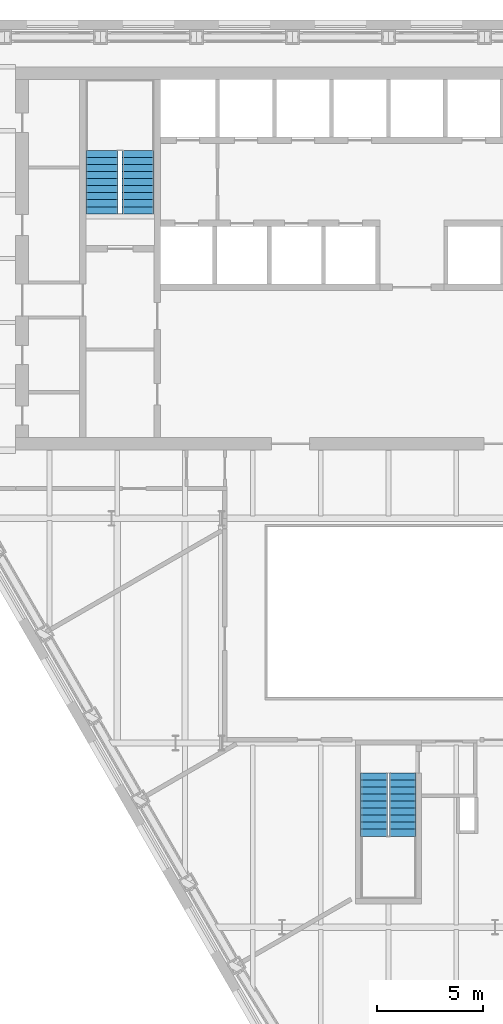
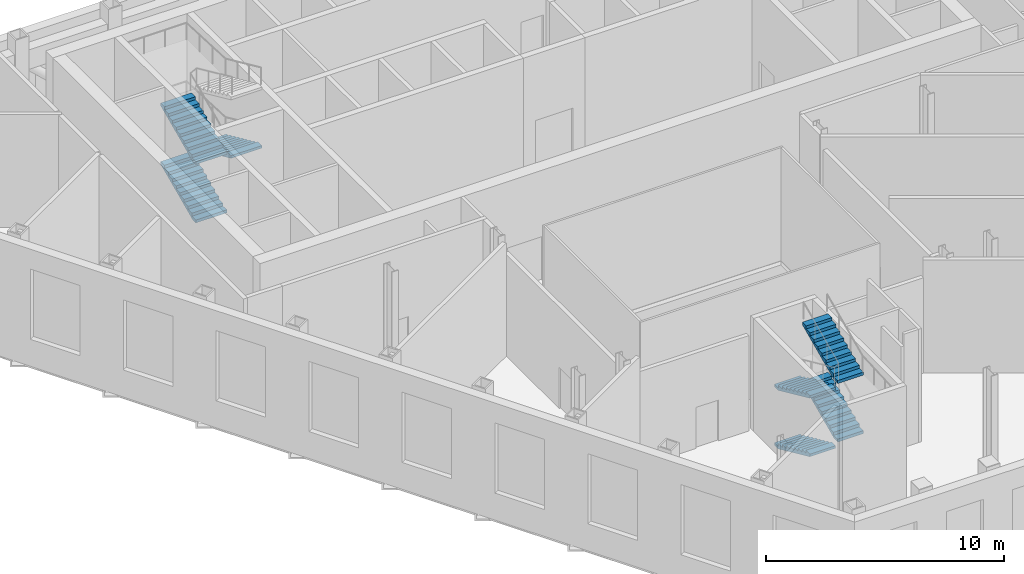
# One storey, part 12 of 14: 7 stair flights, 2 elements without a shape of their own.
"""IFC4 building model written with IfcOpenShell, lengths in metres."""

from ifc_helpers import new_model, si_unit, direction, frame, origin, place, context, subcontext, project, spatial, polygons, material, type_object, element, aggregate, save


model = new_model("IFC4")

# Units and contexts
model_context = context("Model", 3, precision=1e-05, world=origin(), true_north=direction((0.0, 1.0)))
body_context = subcontext(model_context, "Body", "Model", "MODEL_VIEW")
ifc_project = project(units=[si_unit("LENGTHUNIT", "METRE"), si_unit("AREAUNIT", "SQUARE_METRE"), si_unit("VOLUMEUNIT", "CUBIC_METRE"), si_unit("PLANEANGLEUNIT", "RADIAN"), si_unit("MASSUNIT", "GRAM", prefix="KILO")], contexts=[model_context])

# Site, building, storey
site_placement = place(None, origin())
site = spatial("IfcSite", under=ifc_project, at=site_placement, CompositionType="ELEMENT")
building_placement = place(site_placement, origin())
building = spatial("IfcBuilding", under=site, at=building_placement, Name="Njiva Tower", CompositionType="ELEMENT")
storey_placement = place(building_placement, frame((0.0, 0.0, 78.3)))
storey = spatial("IfcBuildingStorey", under=building, at=storey_placement, Name="L16", CompositionType="ELEMENT", Elevation=78.3)

# Stair, stair flights
ifc_material = material(Name="Concrete C40/50", Category="concrete")
stair_type_1 = type_object("IfcStairType", Name="ST1 Exit stair 1250", PredefinedType="HALF_TURN_STAIR", material=ifc_material)
stair_1_placement = place(storey_placement, origin())
stair_1 = element("IfcStair", 1, at=stair_1_placement, inside=storey, type_object=stair_type_1, Name="Stair C", PredefinedType="DOUBLE_RETURN_STAIR")
stair_flight_type_1 = type_object("IfcStairFlightType", Name="FL1 Stair flight 1250", PredefinedType="STRAIGHT", material=ifc_material)
stair_flight_1_placement = place(storey_placement, frame((-0.675, -15.16, 0.0), z_axis=(0.0, 0.0, 1.0), x_axis=(0.0, -1.0, 0.0)))
stair_flight_1 = element("IfcStairFlight", 2, at=stair_flight_1_placement, type_object=stair_flight_type_1, Name="ST-C flight 1", NumberOfRisers=10, NumberOfTreads=9, PredefinedType="STRAIGHT", RiserHeight=0.15, TreadLength=0.33, context=body_context, shape_type="Tessellation", body=[
    polygons([(0.0, 0.625, 0.0), (0.0, 0.3125, 0.0), (0.0, 0.0, 0.0), (0.0, -0.3125, 0.0), (0.0, -0.625, 0.0), (0.0, 0.625, 0.15), (0.0, 0.3125, 0.15), (0.0, 0.0, 0.15), (0.0, -0.3125, 0.15), (0.0, -0.625, 0.15), (0.33, 0.625, 0.15), (0.33, 0.3125, 0.15), (0.33, 0.0, 0.15), (0.33, -0.3125, 0.15), (0.33, -0.625, 0.15), (0.33, 0.625, 0.3), (0.33, 0.3125, 0.3), (0.33, 0.0, 0.3), (0.33, -0.3125, 0.3), (0.33, -0.625, 0.3), (0.66, 0.625, 0.3), (0.66, 0.3125, 0.3), (0.66, 0.0, 0.3), (0.66, -0.3125, 0.3), (0.66, -0.625, 0.3), (0.66, 0.625, 0.45), (0.66, 0.3125, 0.45), (0.66, 0.0, 0.45), (0.66, -0.3125, 0.45), (0.66, -0.625, 0.45), (0.99, 0.625, 0.45), (0.99, 0.3125, 0.45), (0.99, 0.0, 0.45), (0.99, -0.3125, 0.45), (0.99, -0.625, 0.45), (0.99, 0.625, 0.6), (0.99, 0.3125, 0.6), (0.99, 0.0, 0.6), (0.99, -0.3125, 0.6), (0.99, -0.625, 0.6), (1.32, 0.625, 0.6), (1.32, 0.3125, 0.6), (1.32, 0.0, 0.6), (1.32, -0.3125, 0.6), (1.32, -0.625, 0.6), (1.32, 0.625, 0.75), (1.32, 0.3125, 0.75), (1.32, 0.0, 0.75), (1.32, -0.3125, 0.75), (1.32, -0.625, 0.75), (1.65, 0.625, 0.75), (1.65, 0.3125, 0.75), (1.65, 0.0, 0.75), (1.65, -0.3125, 0.75), (1.65, -0.625, 0.75), (1.65, 0.625, 0.9), (1.65, 0.3125, 0.9), (1.65, 0.0, 0.9), (1.65, -0.3125, 0.9), (1.65, -0.625, 0.9), (1.98, 0.625, 0.9), (1.98, 0.3125, 0.9), (1.98, 0.0, 0.9), (1.98, -0.3125, 0.9), (1.98, -0.625, 0.9), (1.98, 0.625, 1.05), (1.98, 0.3125, 1.05), (1.98, 0.0, 1.05), (1.98, -0.3125, 1.05), (1.98, -0.625, 1.05), (2.31, 0.625, 1.05), (2.31, 0.3125, 1.05), (2.31, 0.0, 1.05), (2.31, -0.3125, 1.05), (2.31, -0.625, 1.05), (2.31, 0.625, 1.2), (2.31, 0.3125, 1.2), (2.31, 0.0, 1.2), (2.31, -0.3125, 1.2), (2.31, -0.625, 1.2), (2.64, 0.625, 1.2), (2.64, 0.3125, 1.2), (2.64, 0.0, 1.2), (2.64, -0.3125, 1.2), (2.64, -0.625, 1.2), (2.64, 0.625, 1.35), (2.64, 0.3125, 1.35), (2.64, 0.0, 1.35), (2.64, -0.3125, 1.35), (2.64, -0.625, 1.35), (2.97, 0.625, 1.35), (2.97, 0.3125, 1.35), (2.97, 0.0, 1.35), (2.97, -0.3125, 1.35), (2.97, -0.625, 1.35), (2.97, 0.625, 1.2182), (2.97, 0.3125, 1.2182), (2.97, 0.0, 1.2182), (2.97, -0.3125, 1.2182), (2.97, -0.625, 1.2182), (0.29, 0.625, 0.0), (0.29, 0.3125, 0.0), (0.29, 0.0, 0.0), (0.29, -0.3125, 0.0), (0.29, -0.625, 0.0)], [[[1, 6, 11, 16, 21, 26, 31, 36, 41, 46, 51, 56, 61, 66, 71, 76, 81, 86, 91, 96, 101]], [[105, 100, 95, 90, 85, 80, 75, 70, 65, 60, 55, 50, 45, 40, 35, 30, 25, 20, 15, 10, 5]], [[6, 1, 2, 7]], [[7, 2, 3, 8]], [[8, 3, 4, 9]], [[9, 4, 5, 10]], [[11, 6, 7, 12]], [[12, 7, 8, 13]], [[13, 8, 9, 14]], [[14, 9, 10, 15]], [[16, 11, 12, 17]], [[17, 12, 13, 18]], [[18, 13, 14, 19]], [[19, 14, 15, 20]], [[21, 16, 17, 22]], [[22, 17, 18, 23]], [[23, 18, 19, 24]], [[24, 19, 20, 25]], [[26, 21, 22, 27]], [[27, 22, 23, 28]], [[28, 23, 24, 29]], [[29, 24, 25, 30]], [[31, 26, 27, 32]], [[32, 27, 28, 33]], [[33, 28, 29, 34]], [[34, 29, 30, 35]], [[36, 31, 32, 37]], [[37, 32, 33, 38]], [[38, 33, 34, 39]], [[39, 34, 35, 40]], [[41, 36, 37, 42]], [[42, 37, 38, 43]], [[43, 38, 39, 44]], [[44, 39, 40, 45]], [[46, 41, 42, 47]], [[47, 42, 43, 48]], [[48, 43, 44, 49]], [[49, 44, 45, 50]], [[51, 46, 47, 52]], [[52, 47, 48, 53]], [[53, 48, 49, 54]], [[54, 49, 50, 55]], [[56, 51, 52, 57]], [[57, 52, 53, 58]], [[58, 53, 54, 59]], [[59, 54, 55, 60]], [[61, 56, 57, 62]], [[62, 57, 58, 63]], [[63, 58, 59, 64]], [[64, 59, 60, 65]], [[66, 61, 62, 67]], [[67, 62, 63, 68]], [[68, 63, 64, 69]], [[69, 64, 65, 70]], [[71, 66, 67, 72]], [[72, 67, 68, 73]], [[73, 68, 69, 74]], [[74, 69, 70, 75]], [[76, 71, 72, 77]], [[77, 72, 73, 78]], [[78, 73, 74, 79]], [[79, 74, 75, 80]], [[81, 76, 77, 82]], [[82, 77, 78, 83]], [[83, 78, 79, 84]], [[84, 79, 80, 85]], [[86, 81, 82, 87]], [[87, 82, 83, 88]], [[88, 83, 84, 89]], [[89, 84, 85, 90]], [[91, 86, 87, 92]], [[92, 87, 88, 93]], [[93, 88, 89, 94]], [[94, 89, 90, 95]], [[96, 91, 92, 97]], [[97, 92, 93, 98]], [[98, 93, 94, 99]], [[99, 94, 95, 100]], [[101, 96, 97, 102]], [[102, 97, 98, 103]], [[103, 98, 99, 104]], [[104, 99, 100, 105]], [[1, 101, 102, 2]], [[2, 102, 103, 3]], [[3, 103, 104, 4]], [[4, 104, 105, 5]]], closed=True),
])
stair_flight_2_placement = place(storey_placement, frame((0.675, -18.13, 1.5), z_axis=(0.0, 0.0, 1.0), x_axis=(0.0, 1.0, 0.0)))
stair_flight_2 = element("IfcStairFlight", 3, at=stair_flight_2_placement, type_object=stair_flight_type_1, Name="ST-C flight 2", NumberOfRisers=10, NumberOfTreads=9, PredefinedType="STRAIGHT", RiserHeight=0.15, TreadLength=0.33, context=body_context, shape_type="Tessellation", body=[
    polygons([(0.0, 0.625, 0.0), (0.0, 0.3125, 0.0), (0.0, 0.0, 0.0), (0.0, -0.3125, 0.0), (0.0, -0.625, 0.0), (0.0, 0.625, 0.15), (0.0, 0.3125, 0.15), (0.0, 0.0, 0.15), (0.0, -0.3125, 0.15), (0.0, -0.625, 0.15), (0.33, 0.625, 0.15), (0.33, 0.3125, 0.15), (0.33, 0.0, 0.15), (0.33, -0.3125, 0.15), (0.33, -0.625, 0.15), (0.33, 0.625, 0.3), (0.33, 0.3125, 0.3), (0.33, 0.0, 0.3), (0.33, -0.3125, 0.3), (0.33, -0.625, 0.3), (0.66, 0.625, 0.3), (0.66, 0.3125, 0.3), (0.66, 0.0, 0.3), (0.66, -0.3125, 0.3), (0.66, -0.625, 0.3), (0.66, 0.625, 0.45), (0.66, 0.3125, 0.45), (0.66, 0.0, 0.45), (0.66, -0.3125, 0.45), (0.66, -0.625, 0.45), (0.99, 0.625, 0.45), (0.99, 0.3125, 0.45), (0.99, 0.0, 0.45), (0.99, -0.3125, 0.45), (0.99, -0.625, 0.45), (0.99, 0.625, 0.6), (0.99, 0.3125, 0.6), (0.99, 0.0, 0.6), (0.99, -0.3125, 0.6), (0.99, -0.625, 0.6), (1.32, 0.625, 0.6), (1.32, 0.3125, 0.6), (1.32, 0.0, 0.6), (1.32, -0.3125, 0.6), (1.32, -0.625, 0.6), (1.32, 0.625, 0.75), (1.32, 0.3125, 0.75), (1.32, 0.0, 0.75), (1.32, -0.3125, 0.75), (1.32, -0.625, 0.75), (1.65, 0.625, 0.75), (1.65, 0.3125, 0.75), (1.65, 0.0, 0.75), (1.65, -0.3125, 0.75), (1.65, -0.625, 0.75), (1.65, 0.625, 0.9), (1.65, 0.3125, 0.9), (1.65, 0.0, 0.9), (1.65, -0.3125, 0.9), (1.65, -0.625, 0.9), (1.98, 0.625, 0.9), (1.98, 0.3125, 0.9), (1.98, 0.0, 0.9), (1.98, -0.3125, 0.9), (1.98, -0.625, 0.9), (1.98, 0.625, 1.05), (1.98, 0.3125, 1.05), (1.98, 0.0, 1.05), (1.98, -0.3125, 1.05), (1.98, -0.625, 1.05), (2.31, 0.625, 1.05), (2.31, 0.3125, 1.05), (2.31, 0.0, 1.05), (2.31, -0.3125, 1.05), (2.31, -0.625, 1.05), (2.31, 0.625, 1.2), (2.31, 0.3125, 1.2), (2.31, 0.0, 1.2), (2.31, -0.3125, 1.2), (2.31, -0.625, 1.2), (2.64, 0.625, 1.2), (2.64, 0.3125, 1.2), (2.64, 0.0, 1.2), (2.64, -0.3125, 1.2), (2.64, -0.625, 1.2), (2.64, 0.625, 1.35), (2.64, 0.3125, 1.35), (2.64, 0.0, 1.35), (2.64, -0.3125, 1.35), (2.64, -0.625, 1.35), (2.97, 0.625, 1.35), (2.97, 0.3125, 1.35), (2.97, 0.0, 1.35), (2.97, -0.3125, 1.35), (2.97, -0.625, 1.35), (2.97, 0.625, 1.2182), (2.97, 0.3125, 1.2182), (2.97, 0.0, 1.2182), (2.97, -0.3125, 1.2182), (2.97, -0.625, 1.2182), (0.29, 0.625, 0.0), (0.29, 0.3125, 0.0), (0.29, 0.0, 0.0), (0.29, -0.3125, 0.0), (0.29, -0.625, 0.0)], [[[1, 6, 11, 16, 21, 26, 31, 36, 41, 46, 51, 56, 61, 66, 71, 76, 81, 86, 91, 96, 101]], [[105, 100, 95, 90, 85, 80, 75, 70, 65, 60, 55, 50, 45, 40, 35, 30, 25, 20, 15, 10, 5]], [[6, 1, 2, 7]], [[7, 2, 3, 8]], [[8, 3, 4, 9]], [[9, 4, 5, 10]], [[11, 6, 7, 12]], [[12, 7, 8, 13]], [[13, 8, 9, 14]], [[14, 9, 10, 15]], [[16, 11, 12, 17]], [[17, 12, 13, 18]], [[18, 13, 14, 19]], [[19, 14, 15, 20]], [[21, 16, 17, 22]], [[22, 17, 18, 23]], [[23, 18, 19, 24]], [[24, 19, 20, 25]], [[26, 21, 22, 27]], [[27, 22, 23, 28]], [[28, 23, 24, 29]], [[29, 24, 25, 30]], [[31, 26, 27, 32]], [[32, 27, 28, 33]], [[33, 28, 29, 34]], [[34, 29, 30, 35]], [[36, 31, 32, 37]], [[37, 32, 33, 38]], [[38, 33, 34, 39]], [[39, 34, 35, 40]], [[41, 36, 37, 42]], [[42, 37, 38, 43]], [[43, 38, 39, 44]], [[44, 39, 40, 45]], [[46, 41, 42, 47]], [[47, 42, 43, 48]], [[48, 43, 44, 49]], [[49, 44, 45, 50]], [[51, 46, 47, 52]], [[52, 47, 48, 53]], [[53, 48, 49, 54]], [[54, 49, 50, 55]], [[56, 51, 52, 57]], [[57, 52, 53, 58]], [[58, 53, 54, 59]], [[59, 54, 55, 60]], [[61, 56, 57, 62]], [[62, 57, 58, 63]], [[63, 58, 59, 64]], [[64, 59, 60, 65]], [[66, 61, 62, 67]], [[67, 62, 63, 68]], [[68, 63, 64, 69]], [[69, 64, 65, 70]], [[71, 66, 67, 72]], [[72, 67, 68, 73]], [[73, 68, 69, 74]], [[74, 69, 70, 75]], [[76, 71, 72, 77]], [[77, 72, 73, 78]], [[78, 73, 74, 79]], [[79, 74, 75, 80]], [[81, 76, 77, 82]], [[82, 77, 78, 83]], [[83, 78, 79, 84]], [[84, 79, 80, 85]], [[86, 81, 82, 87]], [[87, 82, 83, 88]], [[88, 83, 84, 89]], [[89, 84, 85, 90]], [[91, 86, 87, 92]], [[92, 87, 88, 93]], [[93, 88, 89, 94]], [[94, 89, 90, 95]], [[96, 91, 92, 97]], [[97, 92, 93, 98]], [[98, 93, 94, 99]], [[99, 94, 95, 100]], [[101, 96, 97, 102]], [[102, 97, 98, 103]], [[103, 98, 99, 104]], [[104, 99, 100, 105]], [[1, 101, 102, 2]], [[2, 102, 103, 3]], [[3, 103, 104, 4]], [[4, 104, 105, 5]]], closed=True),
])
stair_flight_3_placement = place(storey_placement, frame((-0.675, -15.16, 3.0), z_axis=(0.0, 0.0, 1.0), x_axis=(0.0, -1.0, 0.0)))
stair_flight_3 = element("IfcStairFlight", 4, at=stair_flight_3_placement, type_object=stair_flight_type_1, Name="ST-C flight 3", NumberOfRisers=10, NumberOfTreads=9, PredefinedType="STRAIGHT", RiserHeight=0.15, TreadLength=0.33, context=body_context, shape_type="Tessellation", body=[
    polygons([(0.0, 0.625, 0.0), (0.0, 0.3125, 0.0), (0.0, 0.0, 0.0), (0.0, -0.3125, 0.0), (0.0, -0.625, 0.0), (0.0, 0.625, 0.15), (0.0, 0.3125, 0.15), (0.0, 0.0, 0.15), (0.0, -0.3125, 0.15), (0.0, -0.625, 0.15), (0.33, 0.625, 0.15), (0.33, 0.3125, 0.15), (0.33, 0.0, 0.15), (0.33, -0.3125, 0.15), (0.33, -0.625, 0.15), (0.33, 0.625, 0.3), (0.33, 0.3125, 0.3), (0.33, 0.0, 0.3), (0.33, -0.3125, 0.3), (0.33, -0.625, 0.3), (0.66, 0.625, 0.3), (0.66, 0.3125, 0.3), (0.66, 0.0, 0.3), (0.66, -0.3125, 0.3), (0.66, -0.625, 0.3), (0.66, 0.625, 0.45), (0.66, 0.3125, 0.45), (0.66, 0.0, 0.45), (0.66, -0.3125, 0.45), (0.66, -0.625, 0.45), (0.99, 0.625, 0.45), (0.99, 0.3125, 0.45), (0.99, 0.0, 0.45), (0.99, -0.3125, 0.45), (0.99, -0.625, 0.45), (0.99, 0.625, 0.6), (0.99, 0.3125, 0.6), (0.99, 0.0, 0.6), (0.99, -0.3125, 0.6), (0.99, -0.625, 0.6), (1.32, 0.625, 0.6), (1.32, 0.3125, 0.6), (1.32, 0.0, 0.6), (1.32, -0.3125, 0.6), (1.32, -0.625, 0.6), (1.32, 0.625, 0.75), (1.32, 0.3125, 0.75), (1.32, 0.0, 0.75), (1.32, -0.3125, 0.75), (1.32, -0.625, 0.75), (1.65, 0.625, 0.75), (1.65, 0.3125, 0.75), (1.65, 0.0, 0.75), (1.65, -0.3125, 0.75), (1.65, -0.625, 0.75), (1.65, 0.625, 0.9), (1.65, 0.3125, 0.9), (1.65, 0.0, 0.9), (1.65, -0.3125, 0.9), (1.65, -0.625, 0.9), (1.98, 0.625, 0.9), (1.98, 0.3125, 0.9), (1.98, 0.0, 0.9), (1.98, -0.3125, 0.9), (1.98, -0.625, 0.9), (1.98, 0.625, 1.05), (1.98, 0.3125, 1.05), (1.98, 0.0, 1.05), (1.98, -0.3125, 1.05), (1.98, -0.625, 1.05), (2.31, 0.625, 1.05), (2.31, 0.3125, 1.05), (2.31, 0.0, 1.05), (2.31, -0.3125, 1.05), (2.31, -0.625, 1.05), (2.31, 0.625, 1.2), (2.31, 0.3125, 1.2), (2.31, 0.0, 1.2), (2.31, -0.3125, 1.2), (2.31, -0.625, 1.2), (2.64, 0.625, 1.2), (2.64, 0.3125, 1.2), (2.64, 0.0, 1.2), (2.64, -0.3125, 1.2), (2.64, -0.625, 1.2), (2.64, 0.625, 1.35), (2.64, 0.3125, 1.35), (2.64, 0.0, 1.35), (2.64, -0.3125, 1.35), (2.64, -0.625, 1.35), (2.97, 0.625, 1.35), (2.97, 0.3125, 1.35), (2.97, 0.0, 1.35), (2.97, -0.3125, 1.35), (2.97, -0.625, 1.35), (2.97, 0.625, 1.2182), (2.97, 0.3125, 1.2182), (2.97, 0.0, 1.2182), (2.97, -0.3125, 1.2182), (2.97, -0.625, 1.2182), (0.29, 0.625, 0.0), (0.29, 0.3125, 0.0), (0.29, 0.0, 0.0), (0.29, -0.3125, 0.0), (0.29, -0.625, 0.0)], [[[1, 6, 11, 16, 21, 26, 31, 36, 41, 46, 51, 56, 61, 66, 71, 76, 81, 86, 91, 96, 101]], [[105, 100, 95, 90, 85, 80, 75, 70, 65, 60, 55, 50, 45, 40, 35, 30, 25, 20, 15, 10, 5]], [[6, 1, 2, 7]], [[7, 2, 3, 8]], [[8, 3, 4, 9]], [[9, 4, 5, 10]], [[11, 6, 7, 12]], [[12, 7, 8, 13]], [[13, 8, 9, 14]], [[14, 9, 10, 15]], [[16, 11, 12, 17]], [[17, 12, 13, 18]], [[18, 13, 14, 19]], [[19, 14, 15, 20]], [[21, 16, 17, 22]], [[22, 17, 18, 23]], [[23, 18, 19, 24]], [[24, 19, 20, 25]], [[26, 21, 22, 27]], [[27, 22, 23, 28]], [[28, 23, 24, 29]], [[29, 24, 25, 30]], [[31, 26, 27, 32]], [[32, 27, 28, 33]], [[33, 28, 29, 34]], [[34, 29, 30, 35]], [[36, 31, 32, 37]], [[37, 32, 33, 38]], [[38, 33, 34, 39]], [[39, 34, 35, 40]], [[41, 36, 37, 42]], [[42, 37, 38, 43]], [[43, 38, 39, 44]], [[44, 39, 40, 45]], [[46, 41, 42, 47]], [[47, 42, 43, 48]], [[48, 43, 44, 49]], [[49, 44, 45, 50]], [[51, 46, 47, 52]], [[52, 47, 48, 53]], [[53, 48, 49, 54]], [[54, 49, 50, 55]], [[56, 51, 52, 57]], [[57, 52, 53, 58]], [[58, 53, 54, 59]], [[59, 54, 55, 60]], [[61, 56, 57, 62]], [[62, 57, 58, 63]], [[63, 58, 59, 64]], [[64, 59, 60, 65]], [[66, 61, 62, 67]], [[67, 62, 63, 68]], [[68, 63, 64, 69]], [[69, 64, 65, 70]], [[71, 66, 67, 72]], [[72, 67, 68, 73]], [[73, 68, 69, 74]], [[74, 69, 70, 75]], [[76, 71, 72, 77]], [[77, 72, 73, 78]], [[78, 73, 74, 79]], [[79, 74, 75, 80]], [[81, 76, 77, 82]], [[82, 77, 78, 83]], [[83, 78, 79, 84]], [[84, 79, 80, 85]], [[86, 81, 82, 87]], [[87, 82, 83, 88]], [[88, 83, 84, 89]], [[89, 84, 85, 90]], [[91, 86, 87, 92]], [[92, 87, 88, 93]], [[93, 88, 89, 94]], [[94, 89, 90, 95]], [[96, 91, 92, 97]], [[97, 92, 93, 98]], [[98, 93, 94, 99]], [[99, 94, 95, 100]], [[101, 96, 97, 102]], [[102, 97, 98, 103]], [[103, 98, 99, 104]], [[104, 99, 100, 105]], [[1, 101, 102, 2]], [[2, 102, 103, 3]], [[3, 103, 104, 4]], [[4, 104, 105, 5]]], closed=True),
])
stair_flight_4_placement = place(storey_placement, frame((0.675, -18.13, 4.5), z_axis=(0.0, 0.0, 1.0), x_axis=(0.0, 1.0, 0.0)))
stair_flight_4 = element("IfcStairFlight", 5, at=stair_flight_4_placement, type_object=stair_flight_type_1, Name="ST-C flight 4", NumberOfRisers=10, NumberOfTreads=9, PredefinedType="STRAIGHT", RiserHeight=0.15, TreadLength=0.33, context=body_context, shape_type="Tessellation", body=[
    polygons([(0.0, 0.625, 0.0), (0.0, 0.3125, 0.0), (0.0, 0.0, 0.0), (0.0, -0.3125, 0.0), (0.0, -0.625, 0.0), (0.0, 0.625, 0.15), (0.0, 0.3125, 0.15), (0.0, 0.0, 0.15), (0.0, -0.3125, 0.15), (0.0, -0.625, 0.15), (0.33, 0.625, 0.15), (0.33, 0.3125, 0.15), (0.33, 0.0, 0.15), (0.33, -0.3125, 0.15), (0.33, -0.625, 0.15), (0.33, 0.625, 0.3), (0.33, 0.3125, 0.3), (0.33, 0.0, 0.3), (0.33, -0.3125, 0.3), (0.33, -0.625, 0.3), (0.66, 0.625, 0.3), (0.66, 0.3125, 0.3), (0.66, 0.0, 0.3), (0.66, -0.3125, 0.3), (0.66, -0.625, 0.3), (0.66, 0.625, 0.45), (0.66, 0.3125, 0.45), (0.66, 0.0, 0.45), (0.66, -0.3125, 0.45), (0.66, -0.625, 0.45), (0.99, 0.625, 0.45), (0.99, 0.3125, 0.45), (0.99, 0.0, 0.45), (0.99, -0.3125, 0.45), (0.99, -0.625, 0.45), (0.99, 0.625, 0.6), (0.99, 0.3125, 0.6), (0.99, 0.0, 0.6), (0.99, -0.3125, 0.6), (0.99, -0.625, 0.6), (1.32, 0.625, 0.6), (1.32, 0.3125, 0.6), (1.32, 0.0, 0.6), (1.32, -0.3125, 0.6), (1.32, -0.625, 0.6), (1.32, 0.625, 0.75), (1.32, 0.3125, 0.75), (1.32, 0.0, 0.75), (1.32, -0.3125, 0.75), (1.32, -0.625, 0.75), (1.65, 0.625, 0.75), (1.65, 0.3125, 0.75), (1.65, 0.0, 0.75), (1.65, -0.3125, 0.75), (1.65, -0.625, 0.75), (1.65, 0.625, 0.9), (1.65, 0.3125, 0.9), (1.65, 0.0, 0.9), (1.65, -0.3125, 0.9), (1.65, -0.625, 0.9), (1.98, 0.625, 0.9), (1.98, 0.3125, 0.9), (1.98, 0.0, 0.9), (1.98, -0.3125, 0.9), (1.98, -0.625, 0.9), (1.98, 0.625, 1.05), (1.98, 0.3125, 1.05), (1.98, 0.0, 1.05), (1.98, -0.3125, 1.05), (1.98, -0.625, 1.05), (2.31, 0.625, 1.05), (2.31, 0.3125, 1.05), (2.31, 0.0, 1.05), (2.31, -0.3125, 1.05), (2.31, -0.625, 1.05), (2.31, 0.625, 1.2), (2.31, 0.3125, 1.2), (2.31, 0.0, 1.2), (2.31, -0.3125, 1.2), (2.31, -0.625, 1.2), (2.64, 0.625, 1.2), (2.64, 0.3125, 1.2), (2.64, 0.0, 1.2), (2.64, -0.3125, 1.2), (2.64, -0.625, 1.2), (2.64, 0.625, 1.35), (2.64, 0.3125, 1.35), (2.64, 0.0, 1.35), (2.64, -0.3125, 1.35), (2.64, -0.625, 1.35), (2.97, 0.625, 1.35), (2.97, 0.3125, 1.35), (2.97, 0.0, 1.35), (2.97, -0.3125, 1.35), (2.97, -0.625, 1.35), (2.97, 0.625, 1.2182), (2.97, 0.3125, 1.2182), (2.97, 0.0, 1.2182), (2.97, -0.3125, 1.2182), (2.97, -0.625, 1.2182), (0.29, 0.625, 0.0), (0.29, 0.3125, 0.0), (0.29, 0.0, 0.0), (0.29, -0.3125, 0.0), (0.29, -0.625, 0.0)], [[[1, 6, 11, 16, 21, 26, 31, 36, 41, 46, 51, 56, 61, 66, 71, 76, 81, 86, 91, 96, 101]], [[105, 100, 95, 90, 85, 80, 75, 70, 65, 60, 55, 50, 45, 40, 35, 30, 25, 20, 15, 10, 5]], [[6, 1, 2, 7]], [[7, 2, 3, 8]], [[8, 3, 4, 9]], [[9, 4, 5, 10]], [[11, 6, 7, 12]], [[12, 7, 8, 13]], [[13, 8, 9, 14]], [[14, 9, 10, 15]], [[16, 11, 12, 17]], [[17, 12, 13, 18]], [[18, 13, 14, 19]], [[19, 14, 15, 20]], [[21, 16, 17, 22]], [[22, 17, 18, 23]], [[23, 18, 19, 24]], [[24, 19, 20, 25]], [[26, 21, 22, 27]], [[27, 22, 23, 28]], [[28, 23, 24, 29]], [[29, 24, 25, 30]], [[31, 26, 27, 32]], [[32, 27, 28, 33]], [[33, 28, 29, 34]], [[34, 29, 30, 35]], [[36, 31, 32, 37]], [[37, 32, 33, 38]], [[38, 33, 34, 39]], [[39, 34, 35, 40]], [[41, 36, 37, 42]], [[42, 37, 38, 43]], [[43, 38, 39, 44]], [[44, 39, 40, 45]], [[46, 41, 42, 47]], [[47, 42, 43, 48]], [[48, 43, 44, 49]], [[49, 44, 45, 50]], [[51, 46, 47, 52]], [[52, 47, 48, 53]], [[53, 48, 49, 54]], [[54, 49, 50, 55]], [[56, 51, 52, 57]], [[57, 52, 53, 58]], [[58, 53, 54, 59]], [[59, 54, 55, 60]], [[61, 56, 57, 62]], [[62, 57, 58, 63]], [[63, 58, 59, 64]], [[64, 59, 60, 65]], [[66, 61, 62, 67]], [[67, 62, 63, 68]], [[68, 63, 64, 69]], [[69, 64, 65, 70]], [[71, 66, 67, 72]], [[72, 67, 68, 73]], [[73, 68, 69, 74]], [[74, 69, 70, 75]], [[76, 71, 72, 77]], [[77, 72, 73, 78]], [[78, 73, 74, 79]], [[79, 74, 75, 80]], [[81, 76, 77, 82]], [[82, 77, 78, 83]], [[83, 78, 79, 84]], [[84, 79, 80, 85]], [[86, 81, 82, 87]], [[87, 82, 83, 88]], [[88, 83, 84, 89]], [[89, 84, 85, 90]], [[91, 86, 87, 92]], [[92, 87, 88, 93]], [[93, 88, 89, 94]], [[94, 89, 90, 95]], [[96, 91, 92, 97]], [[97, 92, 93, 98]], [[98, 93, 94, 99]], [[99, 94, 95, 100]], [[101, 96, 97, 102]], [[102, 97, 98, 103]], [[103, 98, 99, 104]], [[104, 99, 100, 105]], [[1, 101, 102, 2]], [[2, 102, 103, 3]], [[3, 103, 104, 4]], [[4, 104, 105, 5]]], closed=True),
])
aggregate(stair_1, [stair_flight_1, stair_flight_2, stair_flight_3, stair_flight_4])

stair_type_2 = type_object("IfcStairType", Name="ST4 Exit stair 1500", PredefinedType="HALF_TURN_STAIR", material=ifc_material)
stair_2_placement = place(storey_placement, origin())
stair_2 = element("IfcStair", 6, at=stair_2_placement, inside=storey, type_object=stair_type_2, Name="Stair A", PredefinedType="DOUBLE_RETURN_STAIR")
stair_flight_type_2 = type_object("IfcStairFlightType", Name="FL4 Stair flight 1500", PredefinedType="STRAIGHT", material=ifc_material)
stair_flight_5_placement = place(storey_placement, frame((-13.45, 11.1, 0.0), z_axis=(0.0, 0.0, 1.0), x_axis=(0.0, 1.0, 0.0)))
stair_flight_5 = element("IfcStairFlight", 7, at=stair_flight_5_placement, type_object=stair_flight_type_2, Name="ST-A flight 1", NumberOfRisers=10, NumberOfTreads=9, PredefinedType="STRAIGHT", RiserHeight=0.15, TreadLength=0.33, context=body_context, shape_type="Tessellation", body=[
    polygons([(0.0, 0.75, 0.0), (0.0, 0.375, 0.0), (0.0, 0.0, 0.0), (0.0, -0.375, 0.0), (0.0, -0.75, 0.0), (0.0, 0.75, 0.15), (0.0, 0.375, 0.15), (0.0, 0.0, 0.15), (0.0, -0.375, 0.15), (0.0, -0.75, 0.15), (0.33, 0.75, 0.15), (0.33, 0.375, 0.15), (0.33, 0.0, 0.15), (0.33, -0.375, 0.15), (0.33, -0.75, 0.15), (0.33, 0.75, 0.3), (0.33, 0.375, 0.3), (0.33, 0.0, 0.3), (0.33, -0.375, 0.3), (0.33, -0.75, 0.3), (0.66, 0.75, 0.3), (0.66, 0.375, 0.3), (0.66, 0.0, 0.3), (0.66, -0.375, 0.3), (0.66, -0.75, 0.3), (0.66, 0.75, 0.45), (0.66, 0.375, 0.45), (0.66, 0.0, 0.45), (0.66, -0.375, 0.45), (0.66, -0.75, 0.45), (0.99, 0.75, 0.45), (0.99, 0.375, 0.45), (0.99, 0.0, 0.45), (0.99, -0.375, 0.45), (0.99, -0.75, 0.45), (0.99, 0.75, 0.6), (0.99, 0.375, 0.6), (0.99, 0.0, 0.6), (0.99, -0.375, 0.6), (0.99, -0.75, 0.6), (1.32, 0.75, 0.6), (1.32, 0.375, 0.6), (1.32, 0.0, 0.6), (1.32, -0.375, 0.6), (1.32, -0.75, 0.6), (1.32, 0.75, 0.75), (1.32, 0.375, 0.75), (1.32, 0.0, 0.75), (1.32, -0.375, 0.75), (1.32, -0.75, 0.75), (1.65, 0.75, 0.75), (1.65, 0.375, 0.75), (1.65, 0.0, 0.75), (1.65, -0.375, 0.75), (1.65, -0.75, 0.75), (1.65, 0.75, 0.9), (1.65, 0.375, 0.9), (1.65, 0.0, 0.9), (1.65, -0.375, 0.9), (1.65, -0.75, 0.9), (1.98, 0.75, 0.9), (1.98, 0.375, 0.9), (1.98, 0.0, 0.9), (1.98, -0.375, 0.9), (1.98, -0.75, 0.9), (1.98, 0.75, 1.05), (1.98, 0.375, 1.05), (1.98, 0.0, 1.05), (1.98, -0.375, 1.05), (1.98, -0.75, 1.05), (2.31, 0.75, 1.05), (2.31, 0.375, 1.05), (2.31, 0.0, 1.05), (2.31, -0.375, 1.05), (2.31, -0.75, 1.05), (2.31, 0.75, 1.2), (2.31, 0.375, 1.2), (2.31, 0.0, 1.2), (2.31, -0.375, 1.2), (2.31, -0.75, 1.2), (2.64, 0.75, 1.2), (2.64, 0.375, 1.2), (2.64, 0.0, 1.2), (2.64, -0.375, 1.2), (2.64, -0.75, 1.2), (2.64, 0.75, 1.35), (2.64, 0.375, 1.35), (2.64, 0.0, 1.35), (2.64, -0.375, 1.35), (2.64, -0.75, 1.35), (2.97, 0.75, 1.35), (2.97, 0.375, 1.35), (2.97, 0.0, 1.35), (2.97, -0.375, 1.35), (2.97, -0.75, 1.35), (2.97, 0.75, 1.2182), (2.97, 0.375, 1.2182), (2.97, 0.0, 1.2182), (2.97, -0.375, 1.2182), (2.97, -0.75, 1.2182), (0.29, 0.75, 0.0), (0.29, 0.375, 0.0), (0.29, 0.0, 0.0), (0.29, -0.375, 0.0), (0.29, -0.75, 0.0)], [[[1, 6, 11, 16, 21, 26, 31, 36, 41, 46, 51, 56, 61, 66, 71, 76, 81, 86, 91, 96, 101]], [[105, 100, 95, 90, 85, 80, 75, 70, 65, 60, 55, 50, 45, 40, 35, 30, 25, 20, 15, 10, 5]], [[6, 1, 2, 7]], [[7, 2, 3, 8]], [[8, 3, 4, 9]], [[9, 4, 5, 10]], [[11, 6, 7, 12]], [[12, 7, 8, 13]], [[13, 8, 9, 14]], [[14, 9, 10, 15]], [[16, 11, 12, 17]], [[17, 12, 13, 18]], [[18, 13, 14, 19]], [[19, 14, 15, 20]], [[21, 16, 17, 22]], [[22, 17, 18, 23]], [[23, 18, 19, 24]], [[24, 19, 20, 25]], [[26, 21, 22, 27]], [[27, 22, 23, 28]], [[28, 23, 24, 29]], [[29, 24, 25, 30]], [[31, 26, 27, 32]], [[32, 27, 28, 33]], [[33, 28, 29, 34]], [[34, 29, 30, 35]], [[36, 31, 32, 37]], [[37, 32, 33, 38]], [[38, 33, 34, 39]], [[39, 34, 35, 40]], [[41, 36, 37, 42]], [[42, 37, 38, 43]], [[43, 38, 39, 44]], [[44, 39, 40, 45]], [[46, 41, 42, 47]], [[47, 42, 43, 48]], [[48, 43, 44, 49]], [[49, 44, 45, 50]], [[51, 46, 47, 52]], [[52, 47, 48, 53]], [[53, 48, 49, 54]], [[54, 49, 50, 55]], [[56, 51, 52, 57]], [[57, 52, 53, 58]], [[58, 53, 54, 59]], [[59, 54, 55, 60]], [[61, 56, 57, 62]], [[62, 57, 58, 63]], [[63, 58, 59, 64]], [[64, 59, 60, 65]], [[66, 61, 62, 67]], [[67, 62, 63, 68]], [[68, 63, 64, 69]], [[69, 64, 65, 70]], [[71, 66, 67, 72]], [[72, 67, 68, 73]], [[73, 68, 69, 74]], [[74, 69, 70, 75]], [[76, 71, 72, 77]], [[77, 72, 73, 78]], [[78, 73, 74, 79]], [[79, 74, 75, 80]], [[81, 76, 77, 82]], [[82, 77, 78, 83]], [[83, 78, 79, 84]], [[84, 79, 80, 85]], [[86, 81, 82, 87]], [[87, 82, 83, 88]], [[88, 83, 84, 89]], [[89, 84, 85, 90]], [[91, 86, 87, 92]], [[92, 87, 88, 93]], [[93, 88, 89, 94]], [[94, 89, 90, 95]], [[96, 91, 92, 97]], [[97, 92, 93, 98]], [[98, 93, 94, 99]], [[99, 94, 95, 100]], [[101, 96, 97, 102]], [[102, 97, 98, 103]], [[103, 98, 99, 104]], [[104, 99, 100, 105]], [[1, 101, 102, 2]], [[2, 102, 103, 3]], [[3, 103, 104, 4]], [[4, 104, 105, 5]]], closed=True),
])
stair_flight_6_placement = place(storey_placement, frame((-11.75, 14.07, 1.5), z_axis=(0.0, 0.0, 1.0), x_axis=(0.0, -1.0, 0.0)))
stair_flight_6 = element("IfcStairFlight", 8, at=stair_flight_6_placement, type_object=stair_flight_type_2, Name="ST-A flight 2", NumberOfRisers=10, NumberOfTreads=9, PredefinedType="STRAIGHT", RiserHeight=0.15, TreadLength=0.33, context=body_context, shape_type="Tessellation", body=[
    polygons([(0.0, 0.75, 0.0), (0.0, 0.375, 0.0), (0.0, 0.0, 0.0), (0.0, -0.375, 0.0), (0.0, -0.75, 0.0), (0.0, 0.75, 0.15), (0.0, 0.375, 0.15), (0.0, 0.0, 0.15), (0.0, -0.375, 0.15), (0.0, -0.75, 0.15), (0.33, 0.75, 0.15), (0.33, 0.375, 0.15), (0.33, 0.0, 0.15), (0.33, -0.375, 0.15), (0.33, -0.75, 0.15), (0.33, 0.75, 0.3), (0.33, 0.375, 0.3), (0.33, 0.0, 0.3), (0.33, -0.375, 0.3), (0.33, -0.75, 0.3), (0.66, 0.75, 0.3), (0.66, 0.375, 0.3), (0.66, 0.0, 0.3), (0.66, -0.375, 0.3), (0.66, -0.75, 0.3), (0.66, 0.75, 0.45), (0.66, 0.375, 0.45), (0.66, 0.0, 0.45), (0.66, -0.375, 0.45), (0.66, -0.75, 0.45), (0.99, 0.75, 0.45), (0.99, 0.375, 0.45), (0.99, 0.0, 0.45), (0.99, -0.375, 0.45), (0.99, -0.75, 0.45), (0.99, 0.75, 0.6), (0.99, 0.375, 0.6), (0.99, 0.0, 0.6), (0.99, -0.375, 0.6), (0.99, -0.75, 0.6), (1.32, 0.75, 0.6), (1.32, 0.375, 0.6), (1.32, 0.0, 0.6), (1.32, -0.375, 0.6), (1.32, -0.75, 0.6), (1.32, 0.75, 0.75), (1.32, 0.375, 0.75), (1.32, 0.0, 0.75), (1.32, -0.375, 0.75), (1.32, -0.75, 0.75), (1.65, 0.75, 0.75), (1.65, 0.375, 0.75), (1.65, 0.0, 0.75), (1.65, -0.375, 0.75), (1.65, -0.75, 0.75), (1.65, 0.75, 0.9), (1.65, 0.375, 0.9), (1.65, 0.0, 0.9), (1.65, -0.375, 0.9), (1.65, -0.75, 0.9), (1.98, 0.75, 0.9), (1.98, 0.375, 0.9), (1.98, 0.0, 0.9), (1.98, -0.375, 0.9), (1.98, -0.75, 0.9), (1.98, 0.75, 1.05), (1.98, 0.375, 1.05), (1.98, 0.0, 1.05), (1.98, -0.375, 1.05), (1.98, -0.75, 1.05), (2.31, 0.75, 1.05), (2.31, 0.375, 1.05), (2.31, 0.0, 1.05), (2.31, -0.375, 1.05), (2.31, -0.75, 1.05), (2.31, 0.75, 1.2), (2.31, 0.375, 1.2), (2.31, 0.0, 1.2), (2.31, -0.375, 1.2), (2.31, -0.75, 1.2), (2.64, 0.75, 1.2), (2.64, 0.375, 1.2), (2.64, 0.0, 1.2), (2.64, -0.375, 1.2), (2.64, -0.75, 1.2), (2.64, 0.75, 1.35), (2.64, 0.375, 1.35), (2.64, 0.0, 1.35), (2.64, -0.375, 1.35), (2.64, -0.75, 1.35), (2.97, 0.75, 1.35), (2.97, 0.375, 1.35), (2.97, 0.0, 1.35), (2.97, -0.375, 1.35), (2.97, -0.75, 1.35), (2.97, 0.75, 1.2182), (2.97, 0.375, 1.2182), (2.97, 0.0, 1.2182), (2.97, -0.375, 1.2182), (2.97, -0.75, 1.2182), (0.29, 0.75, 0.0), (0.29, 0.375, 0.0), (0.29, 0.0, 0.0), (0.29, -0.375, 0.0), (0.29, -0.75, 0.0)], [[[1, 6, 11, 16, 21, 26, 31, 36, 41, 46, 51, 56, 61, 66, 71, 76, 81, 86, 91, 96, 101]], [[105, 100, 95, 90, 85, 80, 75, 70, 65, 60, 55, 50, 45, 40, 35, 30, 25, 20, 15, 10, 5]], [[6, 1, 2, 7]], [[7, 2, 3, 8]], [[8, 3, 4, 9]], [[9, 4, 5, 10]], [[11, 6, 7, 12]], [[12, 7, 8, 13]], [[13, 8, 9, 14]], [[14, 9, 10, 15]], [[16, 11, 12, 17]], [[17, 12, 13, 18]], [[18, 13, 14, 19]], [[19, 14, 15, 20]], [[21, 16, 17, 22]], [[22, 17, 18, 23]], [[23, 18, 19, 24]], [[24, 19, 20, 25]], [[26, 21, 22, 27]], [[27, 22, 23, 28]], [[28, 23, 24, 29]], [[29, 24, 25, 30]], [[31, 26, 27, 32]], [[32, 27, 28, 33]], [[33, 28, 29, 34]], [[34, 29, 30, 35]], [[36, 31, 32, 37]], [[37, 32, 33, 38]], [[38, 33, 34, 39]], [[39, 34, 35, 40]], [[41, 36, 37, 42]], [[42, 37, 38, 43]], [[43, 38, 39, 44]], [[44, 39, 40, 45]], [[46, 41, 42, 47]], [[47, 42, 43, 48]], [[48, 43, 44, 49]], [[49, 44, 45, 50]], [[51, 46, 47, 52]], [[52, 47, 48, 53]], [[53, 48, 49, 54]], [[54, 49, 50, 55]], [[56, 51, 52, 57]], [[57, 52, 53, 58]], [[58, 53, 54, 59]], [[59, 54, 55, 60]], [[61, 56, 57, 62]], [[62, 57, 58, 63]], [[63, 58, 59, 64]], [[64, 59, 60, 65]], [[66, 61, 62, 67]], [[67, 62, 63, 68]], [[68, 63, 64, 69]], [[69, 64, 65, 70]], [[71, 66, 67, 72]], [[72, 67, 68, 73]], [[73, 68, 69, 74]], [[74, 69, 70, 75]], [[76, 71, 72, 77]], [[77, 72, 73, 78]], [[78, 73, 74, 79]], [[79, 74, 75, 80]], [[81, 76, 77, 82]], [[82, 77, 78, 83]], [[83, 78, 79, 84]], [[84, 79, 80, 85]], [[86, 81, 82, 87]], [[87, 82, 83, 88]], [[88, 83, 84, 89]], [[89, 84, 85, 90]], [[91, 86, 87, 92]], [[92, 87, 88, 93]], [[93, 88, 89, 94]], [[94, 89, 90, 95]], [[96, 91, 92, 97]], [[97, 92, 93, 98]], [[98, 93, 94, 99]], [[99, 94, 95, 100]], [[101, 96, 97, 102]], [[102, 97, 98, 103]], [[103, 98, 99, 104]], [[104, 99, 100, 105]], [[1, 101, 102, 2]], [[2, 102, 103, 3]], [[3, 103, 104, 4]], [[4, 104, 105, 5]]], closed=True),
])
stair_flight_7_placement = place(storey_placement, frame((-13.45, 11.1, 3.0), z_axis=(0.0, 0.0, 1.0), x_axis=(0.0, 1.0, 0.0)))
stair_flight_7 = element("IfcStairFlight", 9, at=stair_flight_7_placement, type_object=stair_flight_type_2, Name="ST-A flight 3", NumberOfRisers=10, NumberOfTreads=9, PredefinedType="STRAIGHT", RiserHeight=0.15, TreadLength=0.33, context=body_context, shape_type="Tessellation", body=[
    polygons([(0.0, 0.75, 0.0), (0.0, 0.375, 0.0), (0.0, 0.0, 0.0), (0.0, -0.375, 0.0), (0.0, -0.75, 0.0), (0.0, 0.75, 0.15), (0.0, 0.375, 0.15), (0.0, 0.0, 0.15), (0.0, -0.375, 0.15), (0.0, -0.75, 0.15), (0.33, 0.75, 0.15), (0.33, 0.375, 0.15), (0.33, 0.0, 0.15), (0.33, -0.375, 0.15), (0.33, -0.75, 0.15), (0.33, 0.75, 0.3), (0.33, 0.375, 0.3), (0.33, 0.0, 0.3), (0.33, -0.375, 0.3), (0.33, -0.75, 0.3), (0.66, 0.75, 0.3), (0.66, 0.375, 0.3), (0.66, 0.0, 0.3), (0.66, -0.375, 0.3), (0.66, -0.75, 0.3), (0.66, 0.75, 0.45), (0.66, 0.375, 0.45), (0.66, 0.0, 0.45), (0.66, -0.375, 0.45), (0.66, -0.75, 0.45), (0.99, 0.75, 0.45), (0.99, 0.375, 0.45), (0.99, 0.0, 0.45), (0.99, -0.375, 0.45), (0.99, -0.75, 0.45), (0.99, 0.75, 0.6), (0.99, 0.375, 0.6), (0.99, 0.0, 0.6), (0.99, -0.375, 0.6), (0.99, -0.75, 0.6), (1.32, 0.75, 0.6), (1.32, 0.375, 0.6), (1.32, 0.0, 0.6), (1.32, -0.375, 0.6), (1.32, -0.75, 0.6), (1.32, 0.75, 0.75), (1.32, 0.375, 0.75), (1.32, 0.0, 0.75), (1.32, -0.375, 0.75), (1.32, -0.75, 0.75), (1.65, 0.75, 0.75), (1.65, 0.375, 0.75), (1.65, 0.0, 0.75), (1.65, -0.375, 0.75), (1.65, -0.75, 0.75), (1.65, 0.75, 0.9), (1.65, 0.375, 0.9), (1.65, 0.0, 0.9), (1.65, -0.375, 0.9), (1.65, -0.75, 0.9), (1.98, 0.75, 0.9), (1.98, 0.375, 0.9), (1.98, 0.0, 0.9), (1.98, -0.375, 0.9), (1.98, -0.75, 0.9), (1.98, 0.75, 1.05), (1.98, 0.375, 1.05), (1.98, 0.0, 1.05), (1.98, -0.375, 1.05), (1.98, -0.75, 1.05), (2.31, 0.75, 1.05), (2.31, 0.375, 1.05), (2.31, 0.0, 1.05), (2.31, -0.375, 1.05), (2.31, -0.75, 1.05), (2.31, 0.75, 1.2), (2.31, 0.375, 1.2), (2.31, 0.0, 1.2), (2.31, -0.375, 1.2), (2.31, -0.75, 1.2), (2.64, 0.75, 1.2), (2.64, 0.375, 1.2), (2.64, 0.0, 1.2), (2.64, -0.375, 1.2), (2.64, -0.75, 1.2), (2.64, 0.75, 1.35), (2.64, 0.375, 1.35), (2.64, 0.0, 1.35), (2.64, -0.375, 1.35), (2.64, -0.75, 1.35), (2.97, 0.75, 1.35), (2.97, 0.375, 1.35), (2.97, 0.0, 1.35), (2.97, -0.375, 1.35), (2.97, -0.75, 1.35), (2.97, 0.75, 1.2182), (2.97, 0.375, 1.2182), (2.97, 0.0, 1.2182), (2.97, -0.375, 1.2182), (2.97, -0.75, 1.2182), (0.29, 0.75, 0.0), (0.29, 0.375, 0.0), (0.29, 0.0, 0.0), (0.29, -0.375, 0.0), (0.29, -0.75, 0.0)], [[[1, 6, 11, 16, 21, 26, 31, 36, 41, 46, 51, 56, 61, 66, 71, 76, 81, 86, 91, 96, 101]], [[105, 100, 95, 90, 85, 80, 75, 70, 65, 60, 55, 50, 45, 40, 35, 30, 25, 20, 15, 10, 5]], [[6, 1, 2, 7]], [[7, 2, 3, 8]], [[8, 3, 4, 9]], [[9, 4, 5, 10]], [[11, 6, 7, 12]], [[12, 7, 8, 13]], [[13, 8, 9, 14]], [[14, 9, 10, 15]], [[16, 11, 12, 17]], [[17, 12, 13, 18]], [[18, 13, 14, 19]], [[19, 14, 15, 20]], [[21, 16, 17, 22]], [[22, 17, 18, 23]], [[23, 18, 19, 24]], [[24, 19, 20, 25]], [[26, 21, 22, 27]], [[27, 22, 23, 28]], [[28, 23, 24, 29]], [[29, 24, 25, 30]], [[31, 26, 27, 32]], [[32, 27, 28, 33]], [[33, 28, 29, 34]], [[34, 29, 30, 35]], [[36, 31, 32, 37]], [[37, 32, 33, 38]], [[38, 33, 34, 39]], [[39, 34, 35, 40]], [[41, 36, 37, 42]], [[42, 37, 38, 43]], [[43, 38, 39, 44]], [[44, 39, 40, 45]], [[46, 41, 42, 47]], [[47, 42, 43, 48]], [[48, 43, 44, 49]], [[49, 44, 45, 50]], [[51, 46, 47, 52]], [[52, 47, 48, 53]], [[53, 48, 49, 54]], [[54, 49, 50, 55]], [[56, 51, 52, 57]], [[57, 52, 53, 58]], [[58, 53, 54, 59]], [[59, 54, 55, 60]], [[61, 56, 57, 62]], [[62, 57, 58, 63]], [[63, 58, 59, 64]], [[64, 59, 60, 65]], [[66, 61, 62, 67]], [[67, 62, 63, 68]], [[68, 63, 64, 69]], [[69, 64, 65, 70]], [[71, 66, 67, 72]], [[72, 67, 68, 73]], [[73, 68, 69, 74]], [[74, 69, 70, 75]], [[76, 71, 72, 77]], [[77, 72, 73, 78]], [[78, 73, 74, 79]], [[79, 74, 75, 80]], [[81, 76, 77, 82]], [[82, 77, 78, 83]], [[83, 78, 79, 84]], [[84, 79, 80, 85]], [[86, 81, 82, 87]], [[87, 82, 83, 88]], [[88, 83, 84, 89]], [[89, 84, 85, 90]], [[91, 86, 87, 92]], [[92, 87, 88, 93]], [[93, 88, 89, 94]], [[94, 89, 90, 95]], [[96, 91, 92, 97]], [[97, 92, 93, 98]], [[98, 93, 94, 99]], [[99, 94, 95, 100]], [[101, 96, 97, 102]], [[102, 97, 98, 103]], [[103, 98, 99, 104]], [[104, 99, 100, 105]], [[1, 101, 102, 2]], [[2, 102, 103, 3]], [[3, 103, 104, 4]], [[4, 104, 105, 5]]], closed=True),
])
aggregate(stair_2, [stair_flight_5, stair_flight_6, stair_flight_7])

save(model, "model.ifc")
